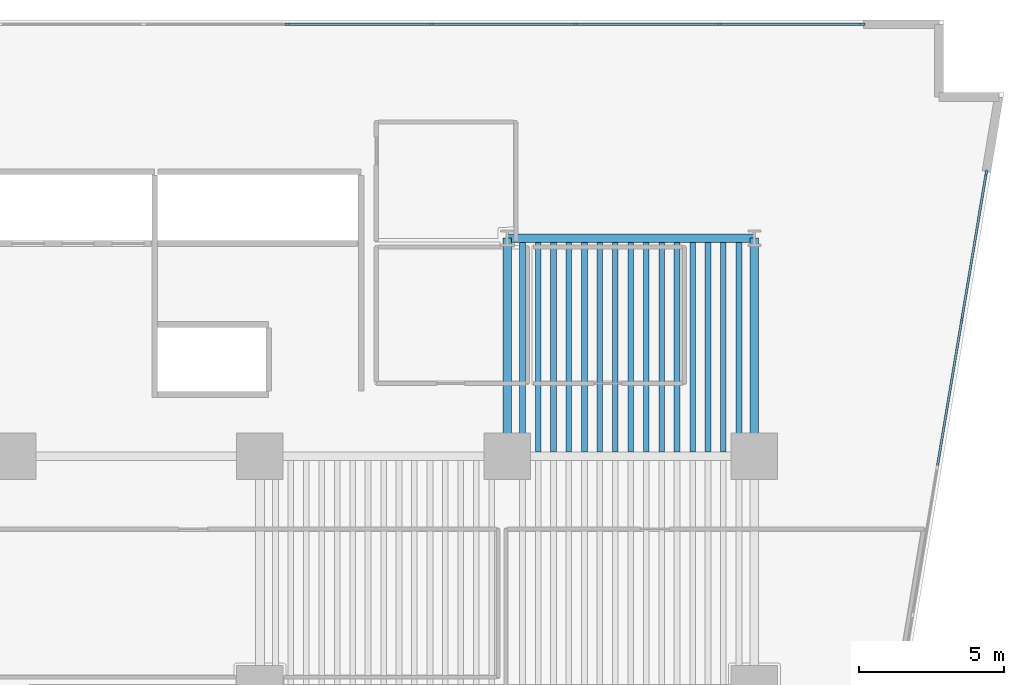
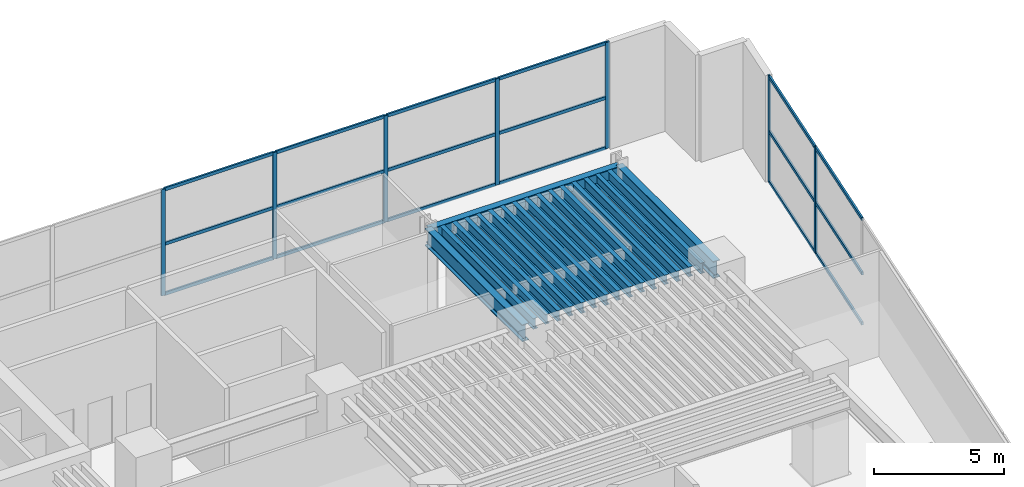
# One storey, part 6 of 16: 25 members, 18 beams, 2 elements without a shape of their own.
"""IFC4 building model written with IfcOpenShell, lengths in metres."""

import ifcopenshell
import ifcopenshell.guid

model = None  # the IFC model being written
_history = None  # IfcOwnerHistory: only IFC2X3 demands one
_inside = {}  # id of a spatial element -> (the spatial element, [elements in it])
_under = {}  # id of a project, library or spatial element -> (it, [spatial elements below it])
_declared = {}  # id of a project -> (the project, [libraries it declares])
_typed = {}  # id of a type object -> (the type object, [elements of that type])
_made_of = {}  # id of a material, layer set ... -> (it, [elements and type objects made of it])


def new_model(schema):
    """Start an empty IFC model of exactly this schema.

    Asked for "IFC4X3", IfcOpenShell would pick the latest addendum, in which some entities
    have other attributes; the version numbers below select the first issue.
    IFC2X3 requires an IfcOwnerHistory on every rooted entity: one is made here for all.
    """
    global model, _history
    if schema == "IFC4X3":
        model = ifcopenshell.file(schema_version=(4, 3, 0, 0))
    else:
        model = ifcopenshell.file(schema=schema)
    _inside.clear()
    _under.clear()
    _declared.clear()
    _typed.clear()
    _made_of.clear()
    _history = None
    if model.schema == "IFC2X3":
        org = make("IfcOrganization", Name="unknown")
        user = make(
            "IfcPersonAndOrganization",
            ThePerson=make("IfcPerson", FamilyName="unknown"),
            TheOrganization=org,
        )
        app = make(
            "IfcApplication",
            ApplicationDeveloper=org,
            Version="unknown",
            ApplicationFullName="unknown",
            ApplicationIdentifier="unknown",
        )
        _history = make(
            "IfcOwnerHistory",
            OwningUser=user,
            OwningApplication=app,
            ChangeAction="ADDED",
            CreationDate=0,
        )
    return model


def make(cls, **values):
    """One entity of the class cls with the attributes given. An attribute that is None is left unset."""
    return model.create_entity(
        cls, **{name: value for name, value in values.items() if value is not None}
    )


def rooted(cls, **values):
    """An entity with a GlobalId (a new one), such as an element, a storey or a relation."""
    return make(cls, GlobalId=ifcopenshell.guid.new(), OwnerHistory=_history, **values)


def si_unit(unit_type, name, prefix=None):
    """IfcSIUnit, for example si_unit("LENGTHUNIT", "METRE", prefix="MILLI")."""
    return make("IfcSIUnit", UnitType=unit_type, Prefix=prefix, Name=name)


def assignment(units):
    """IfcUnitAssignment: the units of a project."""
    return None if units is None else make("IfcUnitAssignment", Units=units)


def point(xyz):
    """IfcCartesianPoint."""
    return None if xyz is None else make("IfcCartesianPoint", Coordinates=xyz)


def direction(xyz):
    """IfcDirection."""
    return None if xyz is None else make("IfcDirection", DirectionRatios=xyz)


def frame(location, z_axis=None, x_axis=None):
    """IfcAxis2Placement3D, a coordinate frame: its origin and axes. An axis left out is left unset."""
    return make(
        "IfcAxis2Placement3D",
        Location=point(location),
        Axis=direction(z_axis),
        RefDirection=direction(x_axis),
    )


def frame_2d(location, x_axis=None):
    """IfcAxis2Placement2D, a coordinate frame in the plane: its origin and x axis."""
    return make(
        "IfcAxis2Placement2D", Location=point(location), RefDirection=direction(x_axis)
    )


def origin():
    """The frame at (0, 0, 0) with its axes left unset."""
    return frame((0.0, 0.0, 0.0))


def origin_2d():
    """The frame at (0, 0) in the plane with its x axis left unset."""
    return frame_2d((0.0, 0.0))


def place(relative_to, where):
    """IfcLocalPlacement: puts the frame where relative to a parent placement (None: the world)."""
    return make(
        "IfcLocalPlacement", PlacementRelTo=relative_to, RelativePlacement=where
    )


def context(
    kind, dimensions, precision=None, world=None, true_north=None, identifier=None
):
    """IfcGeometricRepresentationContext, for example the 3D "Model" context."""
    return make(
        "IfcGeometricRepresentationContext",
        ContextIdentifier=identifier,
        ContextType=kind,
        CoordinateSpaceDimension=dimensions,
        Precision=precision,
        WorldCoordinateSystem=world,
        TrueNorth=true_north,
    )


def subcontext(parent, identifier, kind, view, scale=None):
    """IfcGeometricRepresentationSubContext, for example "Body" below "Model"."""
    return make(
        "IfcGeometricRepresentationSubContext",
        ContextIdentifier=identifier,
        ContextType=kind,
        ParentContext=parent,
        TargetScale=scale,
        TargetView=view,
    )


def project(units=None, contexts=None):
    """IfcProject with its units and contexts."""
    return rooted(
        "IfcProject",
        Name="project",
        RepresentationContexts=contexts,
        UnitsInContext=assignment(units),
    )


def spatial(cls, under=None, at=None, **own):
    """A site, building, storey or space (cls), placed at a placement, below another one or the project."""
    s = rooted(cls, ObjectPlacement=at, **own)
    if under is not None:
        _under.setdefault(under.id(), (under, []))[1].append(s)
    return s


def profile(cls, at=None, kind="AREA", **sizes):
    """A parametric profile (cls). Its sizes go by their IFC names, for example OverallWidth=200.0."""
    return make(cls, ProfileType=kind, Position=at, **sizes)


def rectangle(**sizes):
    """IfcRectangleProfileDef."""
    return profile("IfcRectangleProfileDef", **sizes)


def i_section(**sizes):
    """IfcIShapeProfileDef."""
    return profile("IfcIShapeProfileDef", **sizes)


def extrude(swept, where, along, depth):
    """IfcExtrudedAreaSolid: the profile swept, set in the frame where, extruded along a direction by depth."""
    return make(
        "IfcExtrudedAreaSolid",
        SweptArea=swept,
        Position=where,
        ExtrudedDirection=direction(along),
        Depth=depth,
    )


def shape(context_of_items, identifier, shape_type, items):
    """IfcShapeRepresentation: the items that make up one representation, for example the "Body"."""
    return make(
        "IfcShapeRepresentation",
        ContextOfItems=context_of_items,
        RepresentationIdentifier=identifier,
        RepresentationType=shape_type,
        Items=items,
    )


def material(Name=None, Category=None):
    """IfcMaterial."""
    return make("IfcMaterial", Name=Name, Category=Category)


def layer(
    of_material, thickness, ventilated=None, Name=None, Category=None, Priority=None
):
    """IfcMaterialLayer: one layer of a wall or slab, of a material (None: an air gap)."""
    return make(
        "IfcMaterialLayer",
        Material=of_material,
        LayerThickness=thickness,
        IsVentilated=ventilated,
        Name=Name,
        Category=Category,
        Priority=Priority,
    )


def layer_set(layers, Name=None):
    """IfcMaterialLayerSet."""
    return make("IfcMaterialLayerSet", MaterialLayers=layers, LayerSetName=Name)


def material_profile(
    of_material, cross_section, Name=None, Category=None, Priority=None
):
    """IfcMaterialProfile: a cross section and its material."""
    return make(
        "IfcMaterialProfile",
        Name=Name,
        Material=of_material,
        Profile=cross_section,
        Priority=Priority,
        Category=Category,
    )


def profile_set(profiles, Name=None, composite=None):
    """IfcMaterialProfileSet."""
    return make(
        "IfcMaterialProfileSet",
        Name=Name,
        MaterialProfiles=profiles,
        CompositeProfile=composite,
    )


def made_of(thing, what):
    """Note that an element or type object is made of a material, layer set ...; save() writes the relation."""
    if what is not None:
        _made_of.setdefault(what.id(), (what, []))[1].append(thing)
    return thing


def type_object(cls, material=None, **own):
    """A type object (cls), such as IfcWallType, which elements share."""
    return made_of(rooted(cls, **own), material)


def element(
    cls,
    number,
    at=None,
    inside=None,
    cuts=None,
    type_object=None,
    material=None,
    context=None,
    identifier="Body",
    shape_type=None,
    held_by="IfcProductDefinitionShape",
    body=None,
    shapes=None,
    **own,
):
    """One element of the class cls, such as IfcWall. Its Tag is "e" and its number.

    at: its placement. inside: the storey or other place that contains it. cuts: it is an
    opening in that element (IfcRelVoidsElement). A single representation is given by context,
    identifier, shape_type and body (its items); several are given by shapes. held_by: the class
    of the entity that holds the representations. save() writes the other relations.
    """
    e = rooted(cls, Tag="e%d" % number, ObjectPlacement=at, **own)
    if body is not None:
        shapes = [shape(context, identifier, shape_type, body)]
    if shapes is not None:
        e.Representation = make(held_by, Representations=shapes)
    if inside is not None:
        _inside.setdefault(inside.id(), (inside, []))[1].append(e)
    if cuts is not None:
        rooted(
            "IfcRelVoidsElement", RelatingBuildingElement=cuts, RelatedOpeningElement=e
        )
    if type_object is not None:
        _typed.setdefault(type_object.id(), (type_object, []))[1].append(e)
    return made_of(e, material)


def aggregate(whole, parts):
    """IfcRelAggregates: a whole, such as a stair, and the parts it consists of."""
    return rooted("IfcRelAggregates", RelatingObject=whole, RelatedObjects=parts)


def save(model, path):
    """Write the relations noted so far, then the file.

    IfcRelAggregates (storeys below a building ...), IfcRelContainedInSpatialStructure (elements
    in a storey), IfcRelDefinesByType, IfcRelAssociatesMaterial and IfcRelDeclares: one each for
    every whole, place, type object, material and project.
    """
    for whole, parts in _under.values():
        aggregate(whole, parts)
    for where, things in _inside.values():
        rooted(
            "IfcRelContainedInSpatialStructure",
            RelatedElements=things,
            RelatingStructure=where,
        )
    for kind, things in _typed.values():
        rooted("IfcRelDefinesByType", RelatedObjects=things, RelatingType=kind)
    for what, things in _made_of.values():
        rooted("IfcRelAssociatesMaterial", RelatedObjects=things, RelatingMaterial=what)
    for by, libraries in _declared.values():
        rooted("IfcRelDeclares", RelatingContext=by, RelatedDefinitions=libraries)
    model.write(path)


model = new_model("IFC4")

# Units and contexts
model_context = context("Model", 3, precision=1e-05, world=origin(), true_north=direction((0.0, 1.0)))
body_context = subcontext(model_context, "Body", "Model", "MODEL_VIEW")
ifc_project = project(units=[si_unit("LENGTHUNIT", "METRE"), si_unit("AREAUNIT", "SQUARE_METRE"), si_unit("VOLUMEUNIT", "CUBIC_METRE"), si_unit("PLANEANGLEUNIT", "RADIAN"), si_unit("MASSUNIT", "GRAM", prefix="KILO")], contexts=[model_context])

# Site, building, storey
site_placement = place(None, origin())
site = spatial("IfcSite", under=ifc_project, at=site_placement, CompositionType="ELEMENT")
building_placement = place(site_placement, origin())
building = spatial("IfcBuilding", under=site, at=building_placement, Name="Caeloran Harvest Quay", CompositionType="ELEMENT")
storey_placement = place(building_placement, frame((0.0, 0.0, 16.199951171875)))
storey = spatial("IfcBuildingStorey", under=building, at=storey_placement, Name="L04", CompositionType="ELEMENT", Elevation=16.199951171875)

# Beams
ifc_material_1 = material(Name="Steel S355J2", Category="steel")
ifc_material_profile_1 = material_profile(ifc_material_1, i_section(OverallWidth=0.300048828125, OverallDepth=0.800048828125, WebThickness=0.017578125, FlangeThickness=0.032958984375, FilletRadius=0.030029296875, at=origin_2d()), Name="HE 800 B")
ifc_profile_set_1 = profile_set([ifc_material_profile_1], Name="Steel S355J2")
beam_type_1 = type_object("IfcBeamType", Name="BM-PG-1-HE_800_B", PredefinedType="BEAM", material=ifc_profile_set_1)
beam_placement = place(storey_placement, frame((42.5, 38.5, 4.60009765625), z_axis=(1.0, 0.0, 0.0), x_axis=(0.0, 1.0, 0.0)))
element("IfcBeam", 1, at=beam_placement, inside=storey, type_object=beam_type_1, Name="L04 Primary East-West Girder Y=38.5", PredefinedType="BEAM", context=body_context, shape_type="SweptSolid", body=[
    extrude(i_section(OverallWidth=0.300048828125, OverallDepth=0.800048828125, WebThickness=0.017578125, FlangeThickness=0.032958984375, FilletRadius=0.030029296875, at=origin_2d()), origin(), (0.0, 0.0, 1.0), 8.5),
])
for number, where, z_axis, x_axis, name in (
    (2, (42.5, 31.0, 4.60009765625), (0.0, 1.0, 0.0), (-1.0, 0.0, 0.0), "L04 Primary North-South Girder X=42.5"),
    (3, (51.0, 31.0, 4.60009765625), (0.0, 1.0, 0.0), (-1.0, 0.0, 0.0), "L04 Primary North-South Girder X=51.0"),
):
    element("IfcBeam", number, at=place(storey_placement, frame(where, z_axis=z_axis, x_axis=x_axis)), inside=storey, type_object=beam_type_1, Name=name, PredefinedType="BEAM", context=body_context, shape_type="SweptSolid", body=[
        extrude(i_section(OverallWidth=0.300048828125, OverallDepth=0.800048828125, WebThickness=0.017578125, FlangeThickness=0.032958984375, FilletRadius=0.030029296875, at=origin_2d()), origin(), (0.0, 0.0, 1.0), 7.5),
    ])
ifc_material_profile_2 = material_profile(ifc_material_1, i_section(OverallWidth=0.199951171875, OverallDepth=0.5, WebThickness=0.01025390625, FlangeThickness=0.01611328125, FilletRadius=0.02099609375, at=origin_2d()), Name="IPE 500")
ifc_profile_set_2 = profile_set([ifc_material_profile_2], Name="Steel S355J2")
beam_type_2 = type_object("IfcBeamType", Name="BM-SB-2-IPE_500", PredefinedType="JOIST", material=ifc_profile_set_2)
for number, where, z_axis, x_axis, name in (
    (4, (43.03125, 31.14501953125, 4.75), (0.0, 1.0, 0.0), (-1.0, 0.0, 0.0), "L04 Secondary Composite Joist"),
    (5, (44.09375, 31.14501953125, 4.75), (0.0, 1.0, 0.0), (-1.0, 0.0, 0.0), "L04 Secondary Composite Joist"),
    (6, (45.15625, 31.14501953125, 4.75), (0.0, 1.0, 0.0), (-1.0, 0.0, 0.0), "L04 Secondary Composite Joist"),
    (7, (46.21875, 31.14501953125, 4.75), (0.0, 1.0, 0.0), (-1.0, 0.0, 0.0), "L04 Secondary Composite Joist"),
    (8, (47.28125, 31.14501953125, 4.75), (0.0, 1.0, 0.0), (-1.0, 0.0, 0.0), "L04 Secondary Composite Joist"),
    (9, (48.34375, 31.14501953125, 4.75), (0.0, 1.0, 0.0), (-1.0, 0.0, 0.0), "L04 Secondary Composite Joist"),
    (10, (49.40625, 31.14501953125, 4.75), (0.0, 1.0, 0.0), (-1.0, 0.0, 0.0), "L04 Secondary Composite Joist"),
    (11, (50.46875, 31.14501953125, 4.75), (0.0, 1.0, 0.0), (-1.0, 0.0, 0.0), "L04 Secondary Composite Joist"),
):
    element("IfcBeam", number, at=place(storey_placement, frame(where, z_axis=z_axis, x_axis=x_axis)), inside=storey, type_object=beam_type_2, Name=name, PredefinedType="JOIST", context=body_context, shape_type="SweptSolid", body=[
        extrude(i_section(OverallWidth=0.199951171875, OverallDepth=0.5, WebThickness=0.01025390625, FlangeThickness=0.01611328125, FilletRadius=0.02099609375, at=origin_2d()), origin(), (0.0, 0.0, 1.0), 7.2099609375),
    ])
ifc_material_profile_3 = material_profile(ifc_material_1, i_section(OverallWidth=0.18994140625, OverallDepth=0.449951171875, WebThickness=0.009521484375, FlangeThickness=0.0146484375, FilletRadius=0.02099609375, at=origin_2d()), Name="IPE 450")
ifc_profile_set_3 = profile_set([ifc_material_profile_3], Name="Steel S355J2")
beam_type_3 = type_object("IfcBeamType", Name="BM-SB-3-IPE_450", PredefinedType="JOIST", material=ifc_profile_set_3)
for number, where, z_axis, x_axis, name in (
    (12, (43.5625, 31.14501953125, 4.775146484375), (0.0, 1.0, 0.0), (-1.0, 0.0, 0.0), "L04 Secondary Composite Joist"),
    (13, (44.625, 31.14501953125, 4.775146484375), (0.0, 1.0, 0.0), (-1.0, 0.0, 0.0), "L04 Secondary Composite Joist"),
    (14, (45.6875, 31.14501953125, 4.775146484375), (0.0, 1.0, 0.0), (-1.0, 0.0, 0.0), "L04 Secondary Composite Joist"),
    (15, (46.75, 31.14501953125, 4.775146484375), (0.0, 1.0, 0.0), (-1.0, 0.0, 0.0), "L04 Secondary Composite Joist"),
    (16, (47.8125, 31.14501953125, 4.775146484375), (0.0, 1.0, 0.0), (-1.0, 0.0, 0.0), "L04 Secondary Composite Joist"),
    (17, (48.875, 31.14501953125, 4.775146484375), (0.0, 1.0, 0.0), (-1.0, 0.0, 0.0), "L04 Secondary Composite Joist"),
    (18, (49.9375, 31.14501953125, 4.775146484375), (0.0, 1.0, 0.0), (-1.0, 0.0, 0.0), "L04 Secondary Composite Joist"),
):
    element("IfcBeam", number, at=place(storey_placement, frame(where, z_axis=z_axis, x_axis=x_axis)), inside=storey, type_object=beam_type_3, Name=name, PredefinedType="JOIST", context=body_context, shape_type="SweptSolid", body=[
        extrude(i_section(OverallWidth=0.18994140625, OverallDepth=0.449951171875, WebThickness=0.009521484375, FlangeThickness=0.0146484375, FilletRadius=0.02099609375, at=origin_2d()), origin(), (0.0, 0.0, 1.0), 7.2099609375),
    ])

# Curtain wall, members
ifc_material_2 = material(Name="Aluminium 6063-T6 and Low-E Glazing", Category="aluminium")
ifc_layer = layer(ifc_material_2, 0.179931640625, Name="Aluminium 6063-T6 and Low-E Glazing")
ifc_layer_set = layer_set([ifc_layer], Name="Aluminium 6063-T6 and Low-E Glazing")
curtain_wall_type = type_object("IfcCurtainWallType", Name="CW-SYS-CW-1", PredefinedType="USERDEFINED", material=ifc_layer_set)
curtain_wall_1_placement = place(storey_placement, origin())
curtain_wall_1 = element("IfcCurtainWall", 19, at=curtain_wall_1_placement, inside=storey, type_object=curtain_wall_type, Name="L04 Unitised Curtain Wall CW-1 Run 6", ObjectType="CURTAIN_WALL", PredefinedType="USERDEFINED")
ifc_material_3 = material(Name="Aluminium 6063-T6", Category="aluminium")
ifc_material_profile_4 = material_profile(ifc_material_3, rectangle(XDim=0.080078125, YDim=0.179931640625, at=origin_2d()), Name="CW-MULLION-180")
ifc_profile_set_4 = profile_set([ifc_material_profile_4], Name="Aluminium 6063-T6")
member_type_1 = type_object("IfcMemberType", Name="CW-MULLION-180", PredefinedType="MULLION", material=ifc_profile_set_4)
member_1_placement = place(storey_placement, frame((34.949951171875, 45.85009765625, 0.0), z_axis=(0.0, 0.0, 1.0), x_axis=(0.0, 1.0, 0.0)))
member_1 = element("IfcMember", 20, at=member_1_placement, type_object=member_type_1, Name="CW-1 mullion 7", PredefinedType="MULLION", context=body_context, shape_type="SweptSolid", body=[
    extrude(rectangle(XDim=0.080078125, YDim=0.179931640625, at=origin_2d()), origin(), (0.0, 0.0, 1.0), 5.0),
])
member_2_placement = place(storey_placement, frame((39.89990234375, 45.85009765625, 0.0), z_axis=(0.0, 0.0, 1.0), x_axis=(0.0, 1.0, 0.0)))
member_2 = element("IfcMember", 21, at=member_2_placement, type_object=member_type_1, Name="CW-1 mullion 8", PredefinedType="MULLION", context=body_context, shape_type="SweptSolid", body=[
    extrude(rectangle(XDim=0.080078125, YDim=0.179931640625, at=origin_2d()), origin(), (0.0, 0.0, 1.0), 5.0),
])
member_3_placement = place(storey_placement, frame((44.85009765625, 45.85009765625, 0.0), z_axis=(0.0, 0.0, 1.0), x_axis=(0.0, 1.0, 0.0)))
member_3 = element("IfcMember", 22, at=member_3_placement, type_object=member_type_1, Name="CW-1 mullion 9", PredefinedType="MULLION", context=body_context, shape_type="SweptSolid", body=[
    extrude(rectangle(XDim=0.080078125, YDim=0.179931640625, at=origin_2d()), origin(), (0.0, 0.0, 1.0), 5.0),
])
member_4_placement = place(storey_placement, frame((49.800048828125, 45.85009765625, 0.0), z_axis=(0.0, 0.0, 1.0), x_axis=(0.0, 1.0, 0.0)))
member_4 = element("IfcMember", 23, at=member_4_placement, type_object=member_type_1, Name="CW-1 mullion 10", PredefinedType="MULLION", context=body_context, shape_type="SweptSolid", body=[
    extrude(rectangle(XDim=0.080078125, YDim=0.179931640625, at=origin_2d()), origin(), (0.0, 0.0, 1.0), 5.0),
])
member_5_placement = place(storey_placement, frame((54.7099609375, 45.85009765625, 0.0), z_axis=(0.0, 0.0, 1.0), x_axis=(0.0, 1.0, 0.0)))
member_5 = element("IfcMember", 24, at=member_5_placement, type_object=member_type_1, Name="CW-1 mullion 11", PredefinedType="MULLION", context=body_context, shape_type="SweptSolid", body=[
    extrude(rectangle(XDim=0.080078125, YDim=0.179931640625, at=origin_2d()), origin(), (0.0, 0.0, 1.0), 5.0),
])

curtain_wall_2_placement = place(storey_placement, origin())
curtain_wall_2 = element("IfcCurtainWall", 25, at=curtain_wall_2_placement, inside=storey, type_object=curtain_wall_type, Name="L04 Unitised Curtain Wall CW-1 Run 9", ObjectType="CURTAIN_WALL", PredefinedType="USERDEFINED")
member_6_placement = place(storey_placement, frame((58.973388671875, 40.745849609375, 0.0), z_axis=(0.0, 0.0, 1.0), x_axis=(0.986431373404, -0.164174131837, 0.0)))
member_6 = element("IfcMember", 26, at=member_6_placement, type_object=member_type_1, Name="CW-1 mullion 1", PredefinedType="MULLION", context=body_context, shape_type="SweptSolid", body=[
    extrude(rectangle(XDim=0.080078125, YDim=0.179931640625, at=origin_2d()), origin(), (0.0, 0.0, 1.0), 5.0),
])
member_7_placement = place(storey_placement, frame((58.13427734375, 35.703857421875, 0.0), z_axis=(0.0, 0.0, 1.0), x_axis=(0.986431373404, -0.164174131837, 0.0)))
member_7 = element("IfcMember", 27, at=member_7_placement, type_object=member_type_1, Name="CW-1 mullion 2", PredefinedType="MULLION", context=body_context, shape_type="SweptSolid", body=[
    extrude(rectangle(XDim=0.080078125, YDim=0.179931640625, at=origin_2d()), origin(), (0.0, 0.0, 1.0), 5.0),
])

# Member
ifc_material_profile_5 = material_profile(ifc_material_3, rectangle(XDim=0.080078125, YDim=0.14990234375, at=origin_2d()), Name="CW-TRANSOM-150")
ifc_profile_set_5 = profile_set([ifc_material_profile_5], Name="Aluminium 6063-T6")
member_type_2 = type_object("IfcMemberType", Name="CW-TRANSOM-150", PredefinedType="USERDEFINED", material=ifc_profile_set_5)
member_8_placement = place(storey_placement, frame((34.989990234375, 45.85009765625, 0.0400390625), z_axis=(1.0, 0.0, 0.0), x_axis=(0.0, 1.0, 0.0)))
member_8 = element("IfcMember", 28, at=member_8_placement, type_object=member_type_2, Name="CW-1 transom 7.1", ObjectType="TRANSOM", PredefinedType="USERDEFINED", context=body_context, shape_type="SweptSolid", body=[
    extrude(rectangle(XDim=0.080078125, YDim=0.14990234375, at=origin_2d()), origin(), (0.0, 0.0, 1.0), 4.8701171875),
])

member_9_placement = place(storey_placement, frame((34.989990234375, 45.85009765625, 2.400146484375), z_axis=(1.0, 0.0, 0.0), x_axis=(0.0, 1.0, 0.0)))
member_9 = element("IfcMember", 29, at=member_9_placement, type_object=member_type_2, Name="CW-1 transom 7.2", ObjectType="TRANSOM", PredefinedType="USERDEFINED", context=body_context, shape_type="SweptSolid", body=[
    extrude(rectangle(XDim=0.080078125, YDim=0.14990234375, at=origin_2d()), origin(), (0.0, 0.0, 1.0), 4.8701171875),
])

member_10_placement = place(storey_placement, frame((34.989990234375, 45.85009765625, 4.9599609375), z_axis=(1.0, 0.0, 0.0), x_axis=(0.0, 1.0, 0.0)))
member_10 = element("IfcMember", 30, at=member_10_placement, type_object=member_type_2, Name="CW-1 transom 7.3", ObjectType="TRANSOM", PredefinedType="USERDEFINED", context=body_context, shape_type="SweptSolid", body=[
    extrude(rectangle(XDim=0.080078125, YDim=0.14990234375, at=origin_2d()), origin(), (0.0, 0.0, 1.0), 4.8701171875),
])

member_11_placement = place(storey_placement, frame((39.93994140625, 45.85009765625, 0.0400390625), z_axis=(1.0, 0.0, 0.0), x_axis=(0.0, 1.0, 0.0)))
member_11 = element("IfcMember", 31, at=member_11_placement, type_object=member_type_2, Name="CW-1 transom 8.1", ObjectType="TRANSOM", PredefinedType="USERDEFINED", context=body_context, shape_type="SweptSolid", body=[
    extrude(rectangle(XDim=0.080078125, YDim=0.14990234375, at=origin_2d()), origin(), (0.0, 0.0, 1.0), 4.8701171875),
])

member_12_placement = place(storey_placement, frame((39.93994140625, 45.85009765625, 2.400146484375), z_axis=(1.0, 0.0, 0.0), x_axis=(0.0, 1.0, 0.0)))
member_12 = element("IfcMember", 32, at=member_12_placement, type_object=member_type_2, Name="CW-1 transom 8.2", ObjectType="TRANSOM", PredefinedType="USERDEFINED", context=body_context, shape_type="SweptSolid", body=[
    extrude(rectangle(XDim=0.080078125, YDim=0.14990234375, at=origin_2d()), origin(), (0.0, 0.0, 1.0), 4.8701171875),
])

member_13_placement = place(storey_placement, frame((39.93994140625, 45.85009765625, 4.9599609375), z_axis=(1.0, 0.0, 0.0), x_axis=(0.0, 1.0, 0.0)))
member_13 = element("IfcMember", 33, at=member_13_placement, type_object=member_type_2, Name="CW-1 transom 8.3", ObjectType="TRANSOM", PredefinedType="USERDEFINED", context=body_context, shape_type="SweptSolid", body=[
    extrude(rectangle(XDim=0.080078125, YDim=0.14990234375, at=origin_2d()), origin(), (0.0, 0.0, 1.0), 4.8701171875),
])

member_14_placement = place(storey_placement, frame((44.889892578125, 45.85009765625, 0.0400390625), z_axis=(1.0, 0.0, 0.0), x_axis=(0.0, 1.0, 0.0)))
member_14 = element("IfcMember", 34, at=member_14_placement, type_object=member_type_2, Name="CW-1 transom 9.1", ObjectType="TRANSOM", PredefinedType="USERDEFINED", context=body_context, shape_type="SweptSolid", body=[
    extrude(rectangle(XDim=0.080078125, YDim=0.14990234375, at=origin_2d()), origin(), (0.0, 0.0, 1.0), 4.8701171875),
])

member_15_placement = place(storey_placement, frame((44.889892578125, 45.85009765625, 2.400146484375), z_axis=(1.0, 0.0, 0.0), x_axis=(0.0, 1.0, 0.0)))
member_15 = element("IfcMember", 35, at=member_15_placement, type_object=member_type_2, Name="CW-1 transom 9.2", ObjectType="TRANSOM", PredefinedType="USERDEFINED", context=body_context, shape_type="SweptSolid", body=[
    extrude(rectangle(XDim=0.080078125, YDim=0.14990234375, at=origin_2d()), origin(), (0.0, 0.0, 1.0), 4.8701171875),
])

member_16_placement = place(storey_placement, frame((44.889892578125, 45.85009765625, 4.9599609375), z_axis=(1.0, 0.0, 0.0), x_axis=(0.0, 1.0, 0.0)))
member_16 = element("IfcMember", 36, at=member_16_placement, type_object=member_type_2, Name="CW-1 transom 9.3", ObjectType="TRANSOM", PredefinedType="USERDEFINED", context=body_context, shape_type="SweptSolid", body=[
    extrude(rectangle(XDim=0.080078125, YDim=0.14990234375, at=origin_2d()), origin(), (0.0, 0.0, 1.0), 4.8701171875),
])

member_17_placement = place(storey_placement, frame((49.840087890625, 45.85009765625, 0.0400390625), z_axis=(1.0, 0.0, 0.0), x_axis=(0.0, 1.0, 0.0)))
member_17 = element("IfcMember", 37, at=member_17_placement, type_object=member_type_2, Name="CW-1 transom 10.1", ObjectType="TRANSOM", PredefinedType="USERDEFINED", context=body_context, shape_type="SweptSolid", body=[
    extrude(rectangle(XDim=0.080078125, YDim=0.14990234375, at=origin_2d()), origin(), (0.0, 0.0, 1.0), 4.829833984375),
])

member_18_placement = place(storey_placement, frame((49.840087890625, 45.85009765625, 2.400146484375), z_axis=(1.0, 0.0, 0.0), x_axis=(0.0, 1.0, 0.0)))
member_18 = element("IfcMember", 38, at=member_18_placement, type_object=member_type_2, Name="CW-1 transom 10.2", ObjectType="TRANSOM", PredefinedType="USERDEFINED", context=body_context, shape_type="SweptSolid", body=[
    extrude(rectangle(XDim=0.080078125, YDim=0.14990234375, at=origin_2d()), origin(), (0.0, 0.0, 1.0), 4.829833984375),
])

member_19_placement = place(storey_placement, frame((49.840087890625, 45.85009765625, 4.9599609375), z_axis=(1.0, 0.0, 0.0), x_axis=(0.0, 1.0, 0.0)))
member_19 = element("IfcMember", 39, at=member_19_placement, type_object=member_type_2, Name="CW-1 transom 10.3", ObjectType="TRANSOM", PredefinedType="USERDEFINED", context=body_context, shape_type="SweptSolid", body=[
    extrude(rectangle(XDim=0.080078125, YDim=0.14990234375, at=origin_2d()), origin(), (0.0, 0.0, 1.0), 4.829833984375),
])

aggregate(curtain_wall_1, [member_1, member_2, member_3, member_4, member_5, member_8, member_9, member_10, member_11, member_12, member_13, member_14, member_15, member_16, member_17, member_18, member_19])

member_20_placement = place(storey_placement, frame((58.966796875, 40.706298828125, 0.0400390625), z_axis=(-0.164155053254, -0.986434548508, 0.0), x_axis=(0.986434548508, -0.164155053254, 0.0)))
member_20 = element("IfcMember", 40, at=member_20_placement, type_object=member_type_2, Name="CW-1 transom 1.1", ObjectType="TRANSOM", PredefinedType="USERDEFINED", context=body_context, shape_type="SweptSolid", body=[
    extrude(rectangle(XDim=0.080078125, YDim=0.14990234375, at=origin_2d()), origin(), (0.0, 0.0, 1.0), 5.031494140625),
])

member_21_placement = place(storey_placement, frame((58.966796875, 40.706298828125, 2.400146484375), z_axis=(-0.164155053254, -0.986434548508, 0.0), x_axis=(0.986434548508, -0.164155053254, 0.0)))
member_21 = element("IfcMember", 41, at=member_21_placement, type_object=member_type_2, Name="CW-1 transom 1.2", ObjectType="TRANSOM", PredefinedType="USERDEFINED", context=body_context, shape_type="SweptSolid", body=[
    extrude(rectangle(XDim=0.080078125, YDim=0.14990234375, at=origin_2d()), origin(), (0.0, 0.0, 1.0), 5.031494140625),
])

member_22_placement = place(storey_placement, frame((58.966796875, 40.706298828125, 4.9599609375), z_axis=(-0.164155053254, -0.986434548508, 0.0), x_axis=(0.986434548508, -0.164155053254, 0.0)))
member_22 = element("IfcMember", 42, at=member_22_placement, type_object=member_type_2, Name="CW-1 transom 1.3", ObjectType="TRANSOM", PredefinedType="USERDEFINED", context=body_context, shape_type="SweptSolid", body=[
    extrude(rectangle(XDim=0.080078125, YDim=0.14990234375, at=origin_2d()), origin(), (0.0, 0.0, 1.0), 5.031494140625),
])

member_23_placement = place(storey_placement, frame((58.127685546875, 35.664306640625, 0.0400390625), z_axis=(-0.164156981893, -0.986434227557, 0.0), x_axis=(0.986434227557, -0.164156981893, 0.0)))
member_23 = element("IfcMember", 43, at=member_23_placement, type_object=member_type_2, Name="CW-1 transom 2.1", ObjectType="TRANSOM", PredefinedType="USERDEFINED", context=body_context, shape_type="SweptSolid", body=[
    extrude(rectangle(XDim=0.080078125, YDim=0.14990234375, at=origin_2d()), origin(), (0.0, 0.0, 1.0), 5.071533203125),
])

member_24_placement = place(storey_placement, frame((58.127685546875, 35.664306640625, 2.400146484375), z_axis=(-0.164156981893, -0.986434227557, 0.0), x_axis=(0.986434227557, -0.164156981893, 0.0)))
member_24 = element("IfcMember", 44, at=member_24_placement, type_object=member_type_2, Name="CW-1 transom 2.2", ObjectType="TRANSOM", PredefinedType="USERDEFINED", context=body_context, shape_type="SweptSolid", body=[
    extrude(rectangle(XDim=0.080078125, YDim=0.14990234375, at=origin_2d()), origin(), (0.0, 0.0, 1.0), 5.071533203125),
])

member_25_placement = place(storey_placement, frame((58.127685546875, 35.664306640625, 4.9599609375), z_axis=(-0.164156981893, -0.986434227557, 0.0), x_axis=(0.986434227557, -0.164156981893, 0.0)))
member_25 = element("IfcMember", 45, at=member_25_placement, type_object=member_type_2, Name="CW-1 transom 2.3", ObjectType="TRANSOM", PredefinedType="USERDEFINED", context=body_context, shape_type="SweptSolid", body=[
    extrude(rectangle(XDim=0.080078125, YDim=0.14990234375, at=origin_2d()), origin(), (0.0, 0.0, 1.0), 5.071533203125),
])

aggregate(curtain_wall_2, [member_6, member_7, member_20, member_21, member_22, member_23, member_24, member_25])

save(model, "model.ifc")
